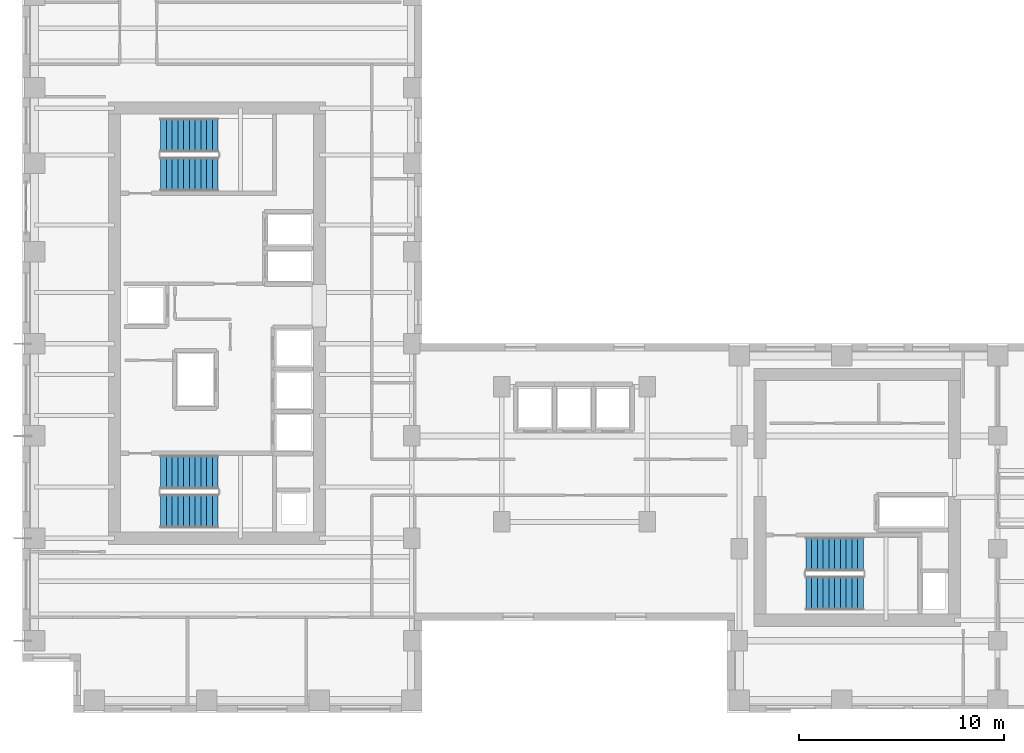
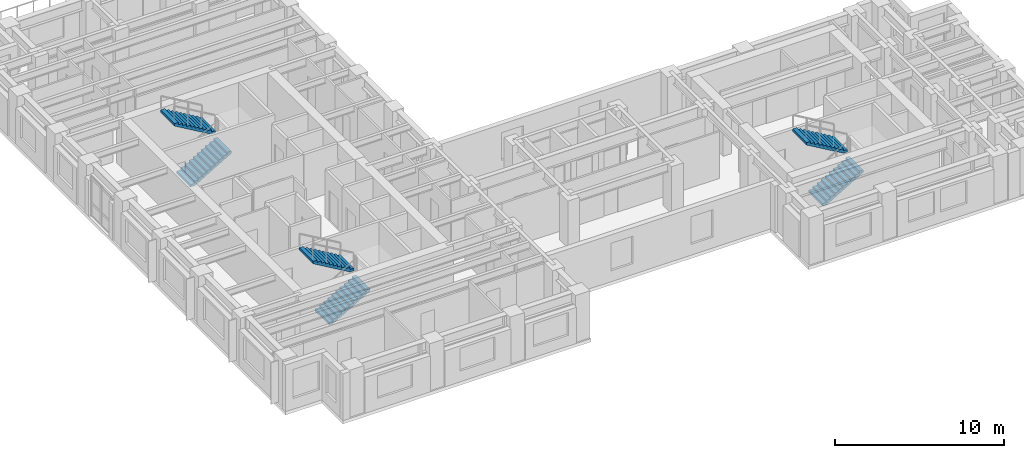
# One storey, part 10 of 13: 6 stair flights, 3 elements without a shape of their own.
"""IFC4 building model written with IfcOpenShell, lengths in metres."""

from ifc_helpers import new_model, si_unit, direction, frame, origin, place, context, subcontext, project, spatial, polyline, outline, extrude, source, transform, mapped, material, type_object, element, aggregate, save


model = new_model("IFC4")

# Units and contexts
model_context = context("Model", 3, precision=1e-05, world=origin(), true_north=direction((0.0, 1.0)))
body_context = subcontext(model_context, "Body", "Model", "MODEL_VIEW")
ifc_project = project(units=[si_unit("LENGTHUNIT", "METRE"), si_unit("AREAUNIT", "SQUARE_METRE"), si_unit("VOLUMEUNIT", "CUBIC_METRE"), si_unit("PLANEANGLEUNIT", "RADIAN"), si_unit("MASSUNIT", "GRAM", prefix="KILO")], contexts=[model_context])

# Site, building, storey
site_placement = place(None, origin())
site = spatial("IfcSite", under=ifc_project, at=site_placement, CompositionType="ELEMENT")
building_placement = place(site_placement, origin())
building = spatial("IfcBuilding", under=site, at=building_placement, Name="Kharzan Plaza Tower", CompositionType="ELEMENT")
storey_placement = place(building_placement, frame((0.0, 0.0, 143.10009765625)))
storey = spatial("IfcBuildingStorey", under=building, at=storey_placement, Name="L38", CompositionType="ELEMENT", Elevation=143.10009765625)

# Stair, stair flights
ifc_material = material(Name="Concrete C40/50", Category="concrete")
stair_type_1 = type_object("IfcStairType", Name="STR-ST-1", PredefinedType="HALF_TURN_STAIR", material=ifc_material)
stair_1_placement = place(storey_placement, origin())
stair_1 = element("IfcStair", 1, at=stair_1_placement, inside=storey, type_object=stair_type_1, Name="L38 Protected Exit Stair ST-1", PredefinedType="HALF_TURN_STAIR")
stair_flight_type = type_object("IfcStairFlightType", Name="SFL-1650-R173", PredefinedType="STRAIGHT", material=ifc_material)
shared_shape = source(origin(), body_context, "Body", "SweptSolid", [
    extrude(outline(polyline([(-0.0029296875, -0.011962890625), (-0.0029296875, 0.0), (0.0, 0.0), (0.0, 0.16357421875), (0.280029296875, 0.16357421875), (0.280029296875, 0.3271484375), (0.56005859375, 0.3271484375), (0.56005859375, 0.49072265625), (0.840087890625, 0.49072265625), (0.840087890625, 0.654296875), (1.1201171875, 0.654296875), (1.1201171875, 0.81787109375), (1.400146484375, 0.81787109375), (1.400146484375, 0.9814453125), (1.68017578125, 0.9814453125), (1.68017578125, 1.14501953125), (1.960205078125, 1.14501953125), (1.960205078125, 1.30859375), (2.240234375, 1.30859375), (2.240234375, 1.47216796875), (2.520263671875, 1.47216796875), (2.520263671875, 1.6357421875), (2.80029296875, 1.6357421875), (2.80029296875, 1.79931640625), (2.80029296875, 1.462158203125), (0.297119140625, 0.0), (0.297119140625, -0.011962890625), (-0.0029296875, -0.011962890625)])), frame((0.0, 0.824951171875, 0.0), z_axis=(0.0, -1.0, 0.0), x_axis=(1.0, 0.0, 0.0)), (0.0, 0.0, 1.0), 1.64990234375),
])
stair_flight_1_placement = place(storey_placement, frame((6.75, 9.824951171875, 0.0), z_axis=(0.0, 0.0, 1.0), x_axis=(1.0, 0.0, 0.0)))
stair_flight_1 = element("IfcStairFlight", 2, at=stair_flight_1_placement, type_object=stair_flight_type, Name="ST-1 flight 1", NumberOfRisers=11, NumberOfTreads=10, PredefinedType="STRAIGHT", RiserHeight=0.163636364, TreadLength=0.28, context=body_context, shape_type="MappedRepresentation", body=[
    mapped(shared_shape, transform((0.0, 0.0, 0.0), x_axis=(1.0, 0.0, 0.0), y_axis=(0.0, 1.0, 0.0), z_axis=(0.0, 0.0, 1.0))),
])
stair_flight_2_placement = place(storey_placement, frame((9.550048828125, 11.72509765625, 1.7998046875), z_axis=(0.0, 0.0, 1.0), x_axis=(-1.0, 0.0, 0.0)))
stair_flight_2 = element("IfcStairFlight", 3, at=stair_flight_2_placement, type_object=stair_flight_type, Name="ST-1 flight 2", NumberOfRisers=11, NumberOfTreads=10, PredefinedType="STRAIGHT", RiserHeight=0.163636364, TreadLength=0.28, context=body_context, shape_type="MappedRepresentation", body=[
    mapped(shared_shape, transform((0.0, 0.0, 0.0), x_axis=(1.0, 0.0, 0.0), y_axis=(0.0, 1.0, 0.0), z_axis=(0.0, 0.0, 1.0))),
])
aggregate(stair_1, [stair_flight_1, stair_flight_2])

stair_type_2 = type_object("IfcStairType", Name="STR-ST-2", PredefinedType="HALF_TURN_STAIR", material=ifc_material)
stair_2_placement = place(storey_placement, origin())
stair_2 = element("IfcStair", 4, at=stair_2_placement, inside=storey, type_object=stair_type_2, Name="L38 Protected Exit Stair ST-2", PredefinedType="HALF_TURN_STAIR")
stair_flight_3_placement = place(storey_placement, frame((6.75, 26.27490234375, 0.0), z_axis=(0.0, 0.0, 1.0), x_axis=(1.0, 0.0, 0.0)))
stair_flight_3 = element("IfcStairFlight", 5, at=stair_flight_3_placement, type_object=stair_flight_type, Name="ST-2 flight 1", NumberOfRisers=11, NumberOfTreads=10, PredefinedType="STRAIGHT", RiserHeight=0.163636364, TreadLength=0.28, context=body_context, shape_type="MappedRepresentation", body=[
    mapped(shared_shape, transform((0.0, 0.0, 0.0), x_axis=(1.0, 0.0, 0.0), y_axis=(0.0, 1.0, 0.0), z_axis=(0.0, 0.0, 1.0))),
])
stair_flight_4_placement = place(storey_placement, frame((9.550048828125, 28.175048828125, 1.7998046875), z_axis=(0.0, 0.0, 1.0), x_axis=(-1.0, 0.0, 0.0)))
stair_flight_4 = element("IfcStairFlight", 6, at=stair_flight_4_placement, type_object=stair_flight_type, Name="ST-2 flight 2", NumberOfRisers=11, NumberOfTreads=10, PredefinedType="STRAIGHT", RiserHeight=0.163636364, TreadLength=0.28, context=body_context, shape_type="MappedRepresentation", body=[
    mapped(shared_shape, transform((0.0, 0.0, 0.0), x_axis=(1.0, 0.0, 0.0), y_axis=(0.0, 1.0, 0.0), z_axis=(0.0, 0.0, 1.0))),
])
aggregate(stair_2, [stair_flight_3, stair_flight_4])

stair_type_3 = type_object("IfcStairType", Name="STR-ST-3", PredefinedType="HALF_TURN_STAIR", material=ifc_material)
stair_3_placement = place(storey_placement, origin())
stair_3 = element("IfcStair", 7, at=stair_3_placement, inside=storey, type_object=stair_type_3, Name="L38 Protected Exit Stair ST-3", PredefinedType="HALF_TURN_STAIR")
stair_flight_5_placement = place(storey_placement, frame((38.25, 5.824951171875, 0.0), z_axis=(0.0, 0.0, 1.0), x_axis=(1.0, 0.0, 0.0)))
stair_flight_5 = element("IfcStairFlight", 8, at=stair_flight_5_placement, type_object=stair_flight_type, Name="ST-3 flight 1", NumberOfRisers=11, NumberOfTreads=10, PredefinedType="STRAIGHT", RiserHeight=0.163636364, TreadLength=0.28, context=body_context, shape_type="MappedRepresentation", body=[
    mapped(shared_shape, transform((0.0, 0.0, 0.0), x_axis=(1.0, 0.0, 0.0), y_axis=(0.0, 1.0, 0.0), z_axis=(0.0, 0.0, 1.0))),
])
stair_flight_6_placement = place(storey_placement, frame((41.050048828125, 7.72509765625, 1.7998046875), z_axis=(0.0, 0.0, 1.0), x_axis=(-1.0, 0.0, 0.0)))
stair_flight_6 = element("IfcStairFlight", 9, at=stair_flight_6_placement, type_object=stair_flight_type, Name="ST-3 flight 2", NumberOfRisers=11, NumberOfTreads=10, PredefinedType="STRAIGHT", RiserHeight=0.163636364, TreadLength=0.28, context=body_context, shape_type="MappedRepresentation", body=[
    mapped(shared_shape, transform((0.0, 0.0, 0.0), x_axis=(1.0, 0.0, 0.0), y_axis=(0.0, 1.0, 0.0), z_axis=(0.0, 0.0, 1.0))),
])
aggregate(stair_3, [stair_flight_5, stair_flight_6])

save(model, "model.ifc")
